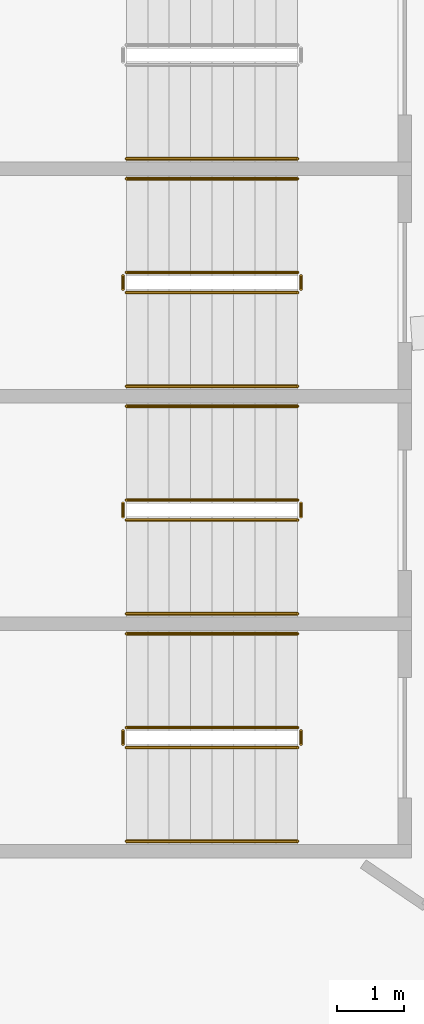
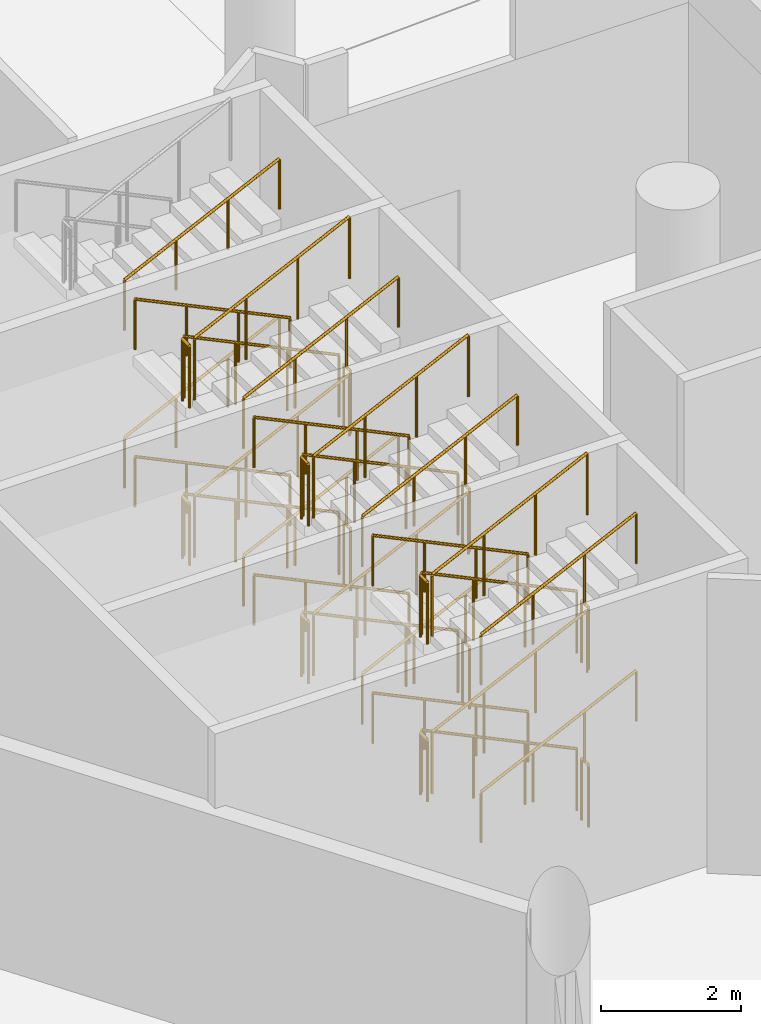
# One storey, part 231 of 271: 38 railings.
"""IFC4 building model written with IfcOpenShell, lengths in metres."""

from ifc_helpers import new_model, si_unit, direction, frame, origin, origin_2d, place, context, subcontext, project, spatial, circle, extrude, material, type_object, element, save


model = new_model("IFC4")

# Units and contexts
model_context = context("Model", 3, precision=1e-05, world=origin(), true_north=direction((0.0, 1.0)))
body_context = subcontext(model_context, "Body", "Model", "MODEL_VIEW")
ifc_project = project(units=[si_unit("LENGTHUNIT", "METRE"), si_unit("AREAUNIT", "SQUARE_METRE"), si_unit("VOLUMEUNIT", "CUBIC_METRE"), si_unit("PLANEANGLEUNIT", "RADIAN"), si_unit("MASSUNIT", "GRAM", prefix="KILO")], contexts=[model_context])

# Site, building, storey
site_placement = place(None, origin())
site = spatial("IfcSite", under=ifc_project, at=site_placement, CompositionType="ELEMENT")
building_placement = place(site_placement, origin())
building = spatial("IfcBuilding", under=site, at=building_placement, Name="Meseta Stadium", CompositionType="ELEMENT")
storey_placement = place(building_placement, frame((0.0, 0.0, 6.5)))
storey = spatial("IfcBuildingStorey", under=building, at=storey_placement, Name="L01", CompositionType="ELEMENT", Elevation=6.5)

# Railings
ifc_material_1 = material(Name="Steel S355", Category="steel")
railing_type_1 = type_object("IfcRailingType", Name="Stair guard 1100", PredefinedType="GUARDRAIL", material=ifc_material_1)
railing_1_placement = place(storey_placement, frame((-90.10009765625, -41.89990234375, 0.15283203125)))
element("IfcRailing", 1, at=railing_1_placement, inside=storey, type_object=railing_type_1, Name="ST74 L01 guard 1", PredefinedType="GUARDRAIL", context=body_context, shape_type="SweptSolid", body=[
    extrude(circle(Radius=0.02392578125, at=origin_2d()), frame((0.0, 0.0, 1.076171875), z_axis=(-0.902420958964, 0.0, 0.430855443069), x_axis=(0.0, -1.0, 0.0)), (0.0, 0.0, 1.0), 2.836669921875),
    extrude(circle(Radius=0.02099609375, at=origin_2d()), origin(), (0.0, 0.0, 1.0), 1.052001953125),
    extrude(circle(Radius=0.02099609375, at=origin_2d()), frame((-0.853271484375, 0.0, 0.407470703125)), (0.0, 0.0, 1.0), 1.052001953125),
    extrude(circle(Radius=0.02099609375, at=origin_2d()), frame((-1.70654296875, 0.0, 0.814697265625)), (0.0, 0.0, 1.0), 1.052001953125),
    extrude(circle(Radius=0.02099609375, at=origin_2d()), frame((-2.559814453125, 0.0, 1.22216796875)), (0.0, 0.0, 1.0), 1.052001953125),
])
railing_2_placement = place(storey_placement, frame((-92.7099609375, -41.949951171875, 1.375)))
element("IfcRailing", 2, at=railing_2_placement, inside=storey, type_object=railing_type_1, Name="ST74 L01 guard 2", PredefinedType="GUARDRAIL", context=body_context, shape_type="SweptSolid", body=[
    extrude(circle(Radius=0.02392578125, at=origin_2d()), frame((0.0, 0.0, 1.076171875), z_axis=(0.0, -1.0, 0.0), x_axis=(1.0, 0.0, 0.0)), (0.0, 0.0, 1.0), 0.199951171875),
    extrude(circle(Radius=0.02099609375, at=origin_2d()), origin(), (0.0, 0.0, 1.0), 1.052001953125),
    extrude(circle(Radius=0.02099609375, at=origin_2d()), frame((0.0, -0.199951171875, 0.0)), (0.0, 0.0, 1.0), 1.052001953125),
])
railing_3_placement = place(storey_placement, frame((-92.659912109375, -42.199951171875, 1.52783203125)))
element("IfcRailing", 3, at=railing_3_placement, inside=storey, type_object=railing_type_1, Name="ST74 L01 guard 3", PredefinedType="GUARDRAIL", context=body_context, shape_type="SweptSolid", body=[
    extrude(circle(Radius=0.02392578125, at=origin_2d()), frame((0.0, 0.0, 1.076171875), z_axis=(0.902420958964, 0.0, 0.430855443069), x_axis=(0.0, 1.0, 0.0)), (0.0, 0.0, 1.0), 2.836669921875),
    extrude(circle(Radius=0.02099609375, at=origin_2d()), origin(), (0.0, 0.0, 1.0), 1.052001953125),
    extrude(circle(Radius=0.02099609375, at=origin_2d()), frame((0.853271484375, 0.0, 0.407470703125)), (0.0, 0.0, 1.0), 1.052001953125),
    extrude(circle(Radius=0.02099609375, at=origin_2d()), frame((1.70654296875, 0.0, 0.814697265625)), (0.0, 0.0, 1.0), 1.052001953125),
    extrude(circle(Radius=0.02099609375, at=origin_2d()), frame((2.559814453125, 0.0, 1.22216796875)), (0.0, 0.0, 1.0), 1.052001953125),
])
railing_4_placement = place(storey_placement, frame((-90.050048828125, -41.949951171875, 2.75)))
element("IfcRailing", 4, at=railing_4_placement, inside=storey, type_object=railing_type_1, Name="ST74 L01 guard 4", PredefinedType="GUARDRAIL", context=body_context, shape_type="SweptSolid", body=[
    extrude(circle(Radius=0.02392578125, at=origin_2d()), frame((0.0, 0.0, 1.076171875), z_axis=(0.0, -1.0, 0.0), x_axis=(1.0, 0.0, 0.0)), (0.0, 0.0, 1.0), 0.199951171875),
    extrude(circle(Radius=0.02099609375, at=origin_2d()), origin(), (0.0, 0.0, 1.0), 1.052001953125),
    extrude(circle(Radius=0.02099609375, at=origin_2d()), frame((0.0, -0.199951171875, 0.0)), (0.0, 0.0, 1.0), 1.052001953125),
])
railing_5_placement = place(storey_placement, frame((-90.10009765625, -41.89990234375, 2.90283203125)))
element("IfcRailing", 5, at=railing_5_placement, inside=storey, type_object=railing_type_1, Name="ST74 L01 guard 5", PredefinedType="GUARDRAIL", context=body_context, shape_type="SweptSolid", body=[
    extrude(circle(Radius=0.02392578125, at=origin_2d()), frame((0.0, 0.0, 1.076171875), z_axis=(-0.902420958964, 0.0, 0.430855443069), x_axis=(0.0, -1.0, 0.0)), (0.0, 0.0, 1.0), 2.836669921875),
    extrude(circle(Radius=0.02099609375, at=origin_2d()), origin(), (0.0, 0.0, 1.0), 1.052001953125),
    extrude(circle(Radius=0.02099609375, at=origin_2d()), frame((-0.853271484375, 0.0, 0.407470703125)), (0.0, 0.0, 1.0), 1.052001953125),
    extrude(circle(Radius=0.02099609375, at=origin_2d()), frame((-1.70654296875, 0.0, 0.814697265625)), (0.0, 0.0, 1.0), 1.052001953125),
    extrude(circle(Radius=0.02099609375, at=origin_2d()), frame((-2.559814453125, 0.0, 1.22216796875)), (0.0, 0.0, 1.0), 1.052001953125),
])
railing_6_placement = place(storey_placement, frame((-92.7099609375, -41.949951171875, 4.125)))
element("IfcRailing", 6, at=railing_6_placement, inside=storey, type_object=railing_type_1, Name="ST74 L01 guard 6", PredefinedType="GUARDRAIL", context=body_context, shape_type="SweptSolid", body=[
    extrude(circle(Radius=0.02392578125, at=origin_2d()), frame((0.0, 0.0, 1.076171875), z_axis=(0.0, -1.0, 0.0), x_axis=(1.0, 0.0, 0.0)), (0.0, 0.0, 1.0), 0.199951171875),
    extrude(circle(Radius=0.02099609375, at=origin_2d()), origin(), (0.0, 0.0, 1.0), 1.052001953125),
    extrude(circle(Radius=0.02099609375, at=origin_2d()), frame((0.0, -0.199951171875, 0.0)), (0.0, 0.0, 1.0), 1.052001953125),
])
railing_7_placement = place(storey_placement, frame((-92.659912109375, -42.199951171875, 4.27783203125)))
element("IfcRailing", 7, at=railing_7_placement, inside=storey, type_object=railing_type_1, Name="ST74 L01 guard 7", PredefinedType="GUARDRAIL", context=body_context, shape_type="SweptSolid", body=[
    extrude(circle(Radius=0.02392578125, at=origin_2d()), frame((0.0, 0.0, 1.076171875), z_axis=(0.902420958964, 0.0, 0.430855443069), x_axis=(0.0, 1.0, 0.0)), (0.0, 0.0, 1.0), 2.836669921875),
    extrude(circle(Radius=0.02099609375, at=origin_2d()), origin(), (0.0, 0.0, 1.0), 1.052001953125),
    extrude(circle(Radius=0.02099609375, at=origin_2d()), frame((0.853271484375, 0.0, 0.407470703125)), (0.0, 0.0, 1.0), 1.052001953125),
    extrude(circle(Radius=0.02099609375, at=origin_2d()), frame((1.70654296875, 0.0, 0.814697265625)), (0.0, 0.0, 1.0), 1.052001953125),
    extrude(circle(Radius=0.02099609375, at=origin_2d()), frame((2.559814453125, 0.0, 1.22216796875)), (0.0, 0.0, 1.0), 1.052001953125),
])
railing_8_placement = place(storey_placement, frame((-90.050048828125, -41.949951171875, 0.0)))
element("IfcRailing", 8, at=railing_8_placement, inside=storey, type_object=railing_type_1, Name="ST74 L01 guard 8", PredefinedType="GUARDRAIL", context=body_context, shape_type="SweptSolid", body=[
    extrude(circle(Radius=0.02392578125, at=origin_2d()), frame((0.0, 0.0, 1.076171875), z_axis=(0.0, -1.0, 0.0), x_axis=(1.0, 0.0, 0.0)), (0.0, 0.0, 1.0), 0.199951171875),
    extrude(circle(Radius=0.02099609375, at=origin_2d()), origin(), (0.0, 0.0, 1.0), 1.052001953125),
    extrude(circle(Radius=0.02099609375, at=origin_2d()), frame((0.0, -0.199951171875, 0.0)), (0.0, 0.0, 1.0), 1.052001953125),
])
railing_9_placement = place(storey_placement, frame((-90.10009765625, -45.300048828125, 0.15283203125)))
element("IfcRailing", 9, at=railing_9_placement, inside=storey, type_object=railing_type_1, Name="ST75 L01 guard 1", PredefinedType="GUARDRAIL", context=body_context, shape_type="SweptSolid", body=[
    extrude(circle(Radius=0.02392578125, at=origin_2d()), frame((0.0, 0.0, 1.076171875), z_axis=(-0.902420958964, 0.0, 0.430855443069), x_axis=(0.0, -1.0, 0.0)), (0.0, 0.0, 1.0), 2.836669921875),
    extrude(circle(Radius=0.02099609375, at=origin_2d()), origin(), (0.0, 0.0, 1.0), 1.052001953125),
    extrude(circle(Radius=0.02099609375, at=origin_2d()), frame((-0.853271484375, 0.0, 0.407470703125)), (0.0, 0.0, 1.0), 1.052001953125),
    extrude(circle(Radius=0.02099609375, at=origin_2d()), frame((-1.70654296875, 0.0, 0.814697265625)), (0.0, 0.0, 1.0), 1.052001953125),
    extrude(circle(Radius=0.02099609375, at=origin_2d()), frame((-2.559814453125, 0.0, 1.22216796875)), (0.0, 0.0, 1.0), 1.052001953125),
])
railing_10_placement = place(storey_placement, frame((-92.7099609375, -45.35009765625, 1.375)))
element("IfcRailing", 10, at=railing_10_placement, inside=storey, type_object=railing_type_1, Name="ST75 L01 guard 2", PredefinedType="GUARDRAIL", context=body_context, shape_type="SweptSolid", body=[
    extrude(circle(Radius=0.02392578125, at=origin_2d()), frame((0.0, 0.0, 1.076171875), z_axis=(0.0, -1.0, 0.0), x_axis=(1.0, 0.0, 0.0)), (0.0, 0.0, 1.0), 0.199951171875),
    extrude(circle(Radius=0.02099609375, at=origin_2d()), origin(), (0.0, 0.0, 1.0), 1.052001953125),
    extrude(circle(Radius=0.02099609375, at=origin_2d()), frame((0.0, -0.199951171875, 0.0)), (0.0, 0.0, 1.0), 1.052001953125),
])
railing_11_placement = place(storey_placement, frame((-92.659912109375, -45.60009765625, 1.52783203125)))
element("IfcRailing", 11, at=railing_11_placement, inside=storey, type_object=railing_type_1, Name="ST75 L01 guard 3", PredefinedType="GUARDRAIL", context=body_context, shape_type="SweptSolid", body=[
    extrude(circle(Radius=0.02392578125, at=origin_2d()), frame((0.0, 0.0, 1.076171875), z_axis=(0.902420958964, 0.0, 0.430855443069), x_axis=(0.0, 1.0, 0.0)), (0.0, 0.0, 1.0), 2.836669921875),
    extrude(circle(Radius=0.02099609375, at=origin_2d()), origin(), (0.0, 0.0, 1.0), 1.052001953125),
    extrude(circle(Radius=0.02099609375, at=origin_2d()), frame((0.853271484375, 0.0, 0.407470703125)), (0.0, 0.0, 1.0), 1.052001953125),
    extrude(circle(Radius=0.02099609375, at=origin_2d()), frame((1.70654296875, 0.0, 0.814697265625)), (0.0, 0.0, 1.0), 1.052001953125),
    extrude(circle(Radius=0.02099609375, at=origin_2d()), frame((2.559814453125, 0.0, 1.22216796875)), (0.0, 0.0, 1.0), 1.052001953125),
])
railing_12_placement = place(storey_placement, frame((-90.050048828125, -45.35009765625, 2.75)))
element("IfcRailing", 12, at=railing_12_placement, inside=storey, type_object=railing_type_1, Name="ST75 L01 guard 4", PredefinedType="GUARDRAIL", context=body_context, shape_type="SweptSolid", body=[
    extrude(circle(Radius=0.02392578125, at=origin_2d()), frame((0.0, 0.0, 1.076171875), z_axis=(0.0, -1.0, 0.0), x_axis=(1.0, 0.0, 0.0)), (0.0, 0.0, 1.0), 0.199951171875),
    extrude(circle(Radius=0.02099609375, at=origin_2d()), origin(), (0.0, 0.0, 1.0), 1.052001953125),
    extrude(circle(Radius=0.02099609375, at=origin_2d()), frame((0.0, -0.199951171875, 0.0)), (0.0, 0.0, 1.0), 1.052001953125),
])
railing_13_placement = place(storey_placement, frame((-90.10009765625, -45.300048828125, 2.90283203125)))
element("IfcRailing", 13, at=railing_13_placement, inside=storey, type_object=railing_type_1, Name="ST75 L01 guard 5", PredefinedType="GUARDRAIL", context=body_context, shape_type="SweptSolid", body=[
    extrude(circle(Radius=0.02392578125, at=origin_2d()), frame((0.0, 0.0, 1.076171875), z_axis=(-0.902420958964, 0.0, 0.430855443069), x_axis=(0.0, -1.0, 0.0)), (0.0, 0.0, 1.0), 2.836669921875),
    extrude(circle(Radius=0.02099609375, at=origin_2d()), origin(), (0.0, 0.0, 1.0), 1.052001953125),
    extrude(circle(Radius=0.02099609375, at=origin_2d()), frame((-0.853271484375, 0.0, 0.407470703125)), (0.0, 0.0, 1.0), 1.052001953125),
    extrude(circle(Radius=0.02099609375, at=origin_2d()), frame((-1.70654296875, 0.0, 0.814697265625)), (0.0, 0.0, 1.0), 1.052001953125),
    extrude(circle(Radius=0.02099609375, at=origin_2d()), frame((-2.559814453125, 0.0, 1.22216796875)), (0.0, 0.0, 1.0), 1.052001953125),
])
railing_14_placement = place(storey_placement, frame((-92.7099609375, -45.35009765625, 4.125)))
element("IfcRailing", 14, at=railing_14_placement, inside=storey, type_object=railing_type_1, Name="ST75 L01 guard 6", PredefinedType="GUARDRAIL", context=body_context, shape_type="SweptSolid", body=[
    extrude(circle(Radius=0.02392578125, at=origin_2d()), frame((0.0, 0.0, 1.076171875), z_axis=(0.0, -1.0, 0.0), x_axis=(1.0, 0.0, 0.0)), (0.0, 0.0, 1.0), 0.199951171875),
    extrude(circle(Radius=0.02099609375, at=origin_2d()), origin(), (0.0, 0.0, 1.0), 1.052001953125),
    extrude(circle(Radius=0.02099609375, at=origin_2d()), frame((0.0, -0.199951171875, 0.0)), (0.0, 0.0, 1.0), 1.052001953125),
])
railing_15_placement = place(storey_placement, frame((-92.659912109375, -45.60009765625, 4.27783203125)))
element("IfcRailing", 15, at=railing_15_placement, inside=storey, type_object=railing_type_1, Name="ST75 L01 guard 7", PredefinedType="GUARDRAIL", context=body_context, shape_type="SweptSolid", body=[
    extrude(circle(Radius=0.02392578125, at=origin_2d()), frame((0.0, 0.0, 1.076171875), z_axis=(0.902420958964, 0.0, 0.430855443069), x_axis=(0.0, 1.0, 0.0)), (0.0, 0.0, 1.0), 2.836669921875),
    extrude(circle(Radius=0.02099609375, at=origin_2d()), origin(), (0.0, 0.0, 1.0), 1.052001953125),
    extrude(circle(Radius=0.02099609375, at=origin_2d()), frame((0.853271484375, 0.0, 0.407470703125)), (0.0, 0.0, 1.0), 1.052001953125),
    extrude(circle(Radius=0.02099609375, at=origin_2d()), frame((1.70654296875, 0.0, 0.814697265625)), (0.0, 0.0, 1.0), 1.052001953125),
    extrude(circle(Radius=0.02099609375, at=origin_2d()), frame((2.559814453125, 0.0, 1.22216796875)), (0.0, 0.0, 1.0), 1.052001953125),
])
railing_16_placement = place(storey_placement, frame((-90.050048828125, -45.35009765625, 0.0)))
element("IfcRailing", 16, at=railing_16_placement, inside=storey, type_object=railing_type_1, Name="ST75 L01 guard 8", PredefinedType="GUARDRAIL", context=body_context, shape_type="SweptSolid", body=[
    extrude(circle(Radius=0.02392578125, at=origin_2d()), frame((0.0, 0.0, 1.076171875), z_axis=(0.0, -1.0, 0.0), x_axis=(1.0, 0.0, 0.0)), (0.0, 0.0, 1.0), 0.199951171875),
    extrude(circle(Radius=0.02099609375, at=origin_2d()), origin(), (0.0, 0.0, 1.0), 1.052001953125),
    extrude(circle(Radius=0.02099609375, at=origin_2d()), frame((0.0, -0.199951171875, 0.0)), (0.0, 0.0, 1.0), 1.052001953125),
])
railing_17_placement = place(storey_placement, frame((-90.10009765625, -48.699951171875, 0.15283203125)))
element("IfcRailing", 17, at=railing_17_placement, inside=storey, type_object=railing_type_1, Name="ST76 L01 guard 1", PredefinedType="GUARDRAIL", context=body_context, shape_type="SweptSolid", body=[
    extrude(circle(Radius=0.02392578125, at=origin_2d()), frame((0.0, 0.0, 1.076171875), z_axis=(-0.902420958964, 0.0, 0.430855443069), x_axis=(0.0, -1.0, 0.0)), (0.0, 0.0, 1.0), 2.836669921875),
    extrude(circle(Radius=0.02099609375, at=origin_2d()), origin(), (0.0, 0.0, 1.0), 1.052001953125),
    extrude(circle(Radius=0.02099609375, at=origin_2d()), frame((-0.853271484375, 0.0, 0.407470703125)), (0.0, 0.0, 1.0), 1.052001953125),
    extrude(circle(Radius=0.02099609375, at=origin_2d()), frame((-1.70654296875, 0.0, 0.814697265625)), (0.0, 0.0, 1.0), 1.052001953125),
    extrude(circle(Radius=0.02099609375, at=origin_2d()), frame((-2.559814453125, 0.0, 1.22216796875)), (0.0, 0.0, 1.0), 1.052001953125),
])
railing_18_placement = place(storey_placement, frame((-92.7099609375, -48.75, 1.375)))
element("IfcRailing", 18, at=railing_18_placement, inside=storey, type_object=railing_type_1, Name="ST76 L01 guard 2", PredefinedType="GUARDRAIL", context=body_context, shape_type="SweptSolid", body=[
    extrude(circle(Radius=0.02392578125, at=origin_2d()), frame((0.0, 0.0, 1.076171875), z_axis=(0.0, -1.0, 0.0), x_axis=(1.0, 0.0, 0.0)), (0.0, 0.0, 1.0), 0.199951171875),
    extrude(circle(Radius=0.02099609375, at=origin_2d()), origin(), (0.0, 0.0, 1.0), 1.052001953125),
    extrude(circle(Radius=0.02099609375, at=origin_2d()), frame((0.0, -0.199951171875, 0.0)), (0.0, 0.0, 1.0), 1.052001953125),
])
railing_19_placement = place(storey_placement, frame((-92.659912109375, -49.0, 1.52783203125)))
element("IfcRailing", 19, at=railing_19_placement, inside=storey, type_object=railing_type_1, Name="ST76 L01 guard 3", PredefinedType="GUARDRAIL", context=body_context, shape_type="SweptSolid", body=[
    extrude(circle(Radius=0.02392578125, at=origin_2d()), frame((0.0, 0.0, 1.076171875), z_axis=(0.902420958964, 0.0, 0.430855443069), x_axis=(0.0, 1.0, 0.0)), (0.0, 0.0, 1.0), 2.836669921875),
    extrude(circle(Radius=0.02099609375, at=origin_2d()), origin(), (0.0, 0.0, 1.0), 1.052001953125),
    extrude(circle(Radius=0.02099609375, at=origin_2d()), frame((0.853271484375, 0.0, 0.407470703125)), (0.0, 0.0, 1.0), 1.052001953125),
    extrude(circle(Radius=0.02099609375, at=origin_2d()), frame((1.70654296875, 0.0, 0.814697265625)), (0.0, 0.0, 1.0), 1.052001953125),
    extrude(circle(Radius=0.02099609375, at=origin_2d()), frame((2.559814453125, 0.0, 1.22216796875)), (0.0, 0.0, 1.0), 1.052001953125),
])
railing_20_placement = place(storey_placement, frame((-90.050048828125, -48.75, 2.75)))
element("IfcRailing", 20, at=railing_20_placement, inside=storey, type_object=railing_type_1, Name="ST76 L01 guard 4", PredefinedType="GUARDRAIL", context=body_context, shape_type="SweptSolid", body=[
    extrude(circle(Radius=0.02392578125, at=origin_2d()), frame((0.0, 0.0, 1.076171875), z_axis=(0.0, -1.0, 0.0), x_axis=(1.0, 0.0, 0.0)), (0.0, 0.0, 1.0), 0.199951171875),
    extrude(circle(Radius=0.02099609375, at=origin_2d()), origin(), (0.0, 0.0, 1.0), 1.052001953125),
    extrude(circle(Radius=0.02099609375, at=origin_2d()), frame((0.0, -0.199951171875, 0.0)), (0.0, 0.0, 1.0), 1.052001953125),
])
railing_21_placement = place(storey_placement, frame((-90.10009765625, -48.699951171875, 2.90283203125)))
element("IfcRailing", 21, at=railing_21_placement, inside=storey, type_object=railing_type_1, Name="ST76 L01 guard 5", PredefinedType="GUARDRAIL", context=body_context, shape_type="SweptSolid", body=[
    extrude(circle(Radius=0.02392578125, at=origin_2d()), frame((0.0, 0.0, 1.076171875), z_axis=(-0.902420958964, 0.0, 0.430855443069), x_axis=(0.0, -1.0, 0.0)), (0.0, 0.0, 1.0), 2.836669921875),
    extrude(circle(Radius=0.02099609375, at=origin_2d()), origin(), (0.0, 0.0, 1.0), 1.052001953125),
    extrude(circle(Radius=0.02099609375, at=origin_2d()), frame((-0.853271484375, 0.0, 0.407470703125)), (0.0, 0.0, 1.0), 1.052001953125),
    extrude(circle(Radius=0.02099609375, at=origin_2d()), frame((-1.70654296875, 0.0, 0.814697265625)), (0.0, 0.0, 1.0), 1.052001953125),
    extrude(circle(Radius=0.02099609375, at=origin_2d()), frame((-2.559814453125, 0.0, 1.22216796875)), (0.0, 0.0, 1.0), 1.052001953125),
])
railing_22_placement = place(storey_placement, frame((-92.7099609375, -48.75, 4.125)))
element("IfcRailing", 22, at=railing_22_placement, inside=storey, type_object=railing_type_1, Name="ST76 L01 guard 6", PredefinedType="GUARDRAIL", context=body_context, shape_type="SweptSolid", body=[
    extrude(circle(Radius=0.02392578125, at=origin_2d()), frame((0.0, 0.0, 1.076171875), z_axis=(0.0, -1.0, 0.0), x_axis=(1.0, 0.0, 0.0)), (0.0, 0.0, 1.0), 0.199951171875),
    extrude(circle(Radius=0.02099609375, at=origin_2d()), origin(), (0.0, 0.0, 1.0), 1.052001953125),
    extrude(circle(Radius=0.02099609375, at=origin_2d()), frame((0.0, -0.199951171875, 0.0)), (0.0, 0.0, 1.0), 1.052001953125),
])
railing_23_placement = place(storey_placement, frame((-92.659912109375, -49.0, 4.27783203125)))
element("IfcRailing", 23, at=railing_23_placement, inside=storey, type_object=railing_type_1, Name="ST76 L01 guard 7", PredefinedType="GUARDRAIL", context=body_context, shape_type="SweptSolid", body=[
    extrude(circle(Radius=0.02392578125, at=origin_2d()), frame((0.0, 0.0, 1.076171875), z_axis=(0.902420958964, 0.0, 0.430855443069), x_axis=(0.0, 1.0, 0.0)), (0.0, 0.0, 1.0), 2.836669921875),
    extrude(circle(Radius=0.02099609375, at=origin_2d()), origin(), (0.0, 0.0, 1.0), 1.052001953125),
    extrude(circle(Radius=0.02099609375, at=origin_2d()), frame((0.853271484375, 0.0, 0.407470703125)), (0.0, 0.0, 1.0), 1.052001953125),
    extrude(circle(Radius=0.02099609375, at=origin_2d()), frame((1.70654296875, 0.0, 0.814697265625)), (0.0, 0.0, 1.0), 1.052001953125),
    extrude(circle(Radius=0.02099609375, at=origin_2d()), frame((2.559814453125, 0.0, 1.22216796875)), (0.0, 0.0, 1.0), 1.052001953125),
])
railing_24_placement = place(storey_placement, frame((-90.050048828125, -48.75, 0.0)))
element("IfcRailing", 24, at=railing_24_placement, inside=storey, type_object=railing_type_1, Name="ST76 L01 guard 8", PredefinedType="GUARDRAIL", context=body_context, shape_type="SweptSolid", body=[
    extrude(circle(Radius=0.02392578125, at=origin_2d()), frame((0.0, 0.0, 1.076171875), z_axis=(0.0, -1.0, 0.0), x_axis=(1.0, 0.0, 0.0)), (0.0, 0.0, 1.0), 0.199951171875),
    extrude(circle(Radius=0.02099609375, at=origin_2d()), origin(), (0.0, 0.0, 1.0), 1.052001953125),
    extrude(circle(Radius=0.02099609375, at=origin_2d()), frame((0.0, -0.199951171875, 0.0)), (0.0, 0.0, 1.0), 1.052001953125),
])
ifc_material_2 = material(Name="Steel S355", Category="steel")
railing_type_2 = type_object("IfcRailingType", Name="Stair handrail 900", PredefinedType="HANDRAIL", material=ifc_material_2)
for number, where, name in (
    (25, (-92.659912109375, -40.199951171875, 1.52783203125), "ST73 L01 handrail 2"),
    (26, (-92.659912109375, -40.199951171875, 4.27783203125), "ST73 L01 handrail 4"),
):
    element("IfcRailing", number, at=place(storey_placement, frame(where)), inside=storey, type_object=railing_type_2, Name=name, PredefinedType="HANDRAIL", context=body_context, shape_type="SweptSolid", body=[
        extrude(circle(Radius=0.02392578125, at=origin_2d()), frame((0.0, 0.0, 0.8759765625), z_axis=(0.902420958964, 0.0, 0.430855443069), x_axis=(0.0, 1.0, 0.0)), (0.0, 0.0, 1.0), 2.836669921875),
        extrude(circle(Radius=0.02099609375, at=origin_2d()), origin(), (0.0, 0.0, 1.0), 0.851806640625),
        extrude(circle(Radius=0.02099609375, at=origin_2d()), frame((0.853271484375, 0.0, 0.407470703125)), (0.0, 0.0, 1.0), 0.851806640625),
        extrude(circle(Radius=0.02099609375, at=origin_2d()), frame((1.70654296875, 0.0, 0.814697265625)), (0.0, 0.0, 1.0), 0.851806640625),
        extrude(circle(Radius=0.02099609375, at=origin_2d()), frame((2.559814453125, 0.0, 1.22216796875)), (0.0, 0.0, 1.0), 0.851806640625),
    ])
railing_25_placement = place(storey_placement, frame((-90.10009765625, -40.5, 0.15283203125)))
element("IfcRailing", 27, at=railing_25_placement, inside=storey, type_object=railing_type_2, Name="ST74 L01 handrail 1", PredefinedType="HANDRAIL", context=body_context, shape_type="SweptSolid", body=[
    extrude(circle(Radius=0.02392578125, at=origin_2d()), frame((0.0, 0.0, 0.8759765625), z_axis=(-0.902420958964, 0.0, 0.430855443069), x_axis=(0.0, -1.0, 0.0)), (0.0, 0.0, 1.0), 2.836669921875),
    extrude(circle(Radius=0.02099609375, at=origin_2d()), origin(), (0.0, 0.0, 1.0), 0.851806640625),
    extrude(circle(Radius=0.02099609375, at=origin_2d()), frame((-0.853271484375, 0.0, 0.407470703125)), (0.0, 0.0, 1.0), 0.851806640625),
    extrude(circle(Radius=0.02099609375, at=origin_2d()), frame((-1.70654296875, 0.0, 0.814697265625)), (0.0, 0.0, 1.0), 0.851806640625),
    extrude(circle(Radius=0.02099609375, at=origin_2d()), frame((-2.559814453125, 0.0, 1.22216796875)), (0.0, 0.0, 1.0), 0.851806640625),
])
railing_26_placement = place(storey_placement, frame((-92.659912109375, -43.60009765625, 1.52783203125)))
element("IfcRailing", 28, at=railing_26_placement, inside=storey, type_object=railing_type_2, Name="ST74 L01 handrail 2", PredefinedType="HANDRAIL", context=body_context, shape_type="SweptSolid", body=[
    extrude(circle(Radius=0.02392578125, at=origin_2d()), frame((0.0, 0.0, 0.8759765625), z_axis=(0.902420958964, 0.0, 0.430855443069), x_axis=(0.0, 1.0, 0.0)), (0.0, 0.0, 1.0), 2.836669921875),
    extrude(circle(Radius=0.02099609375, at=origin_2d()), origin(), (0.0, 0.0, 1.0), 0.851806640625),
    extrude(circle(Radius=0.02099609375, at=origin_2d()), frame((0.853271484375, 0.0, 0.407470703125)), (0.0, 0.0, 1.0), 0.851806640625),
    extrude(circle(Radius=0.02099609375, at=origin_2d()), frame((1.70654296875, 0.0, 0.814697265625)), (0.0, 0.0, 1.0), 0.851806640625),
    extrude(circle(Radius=0.02099609375, at=origin_2d()), frame((2.559814453125, 0.0, 1.22216796875)), (0.0, 0.0, 1.0), 0.851806640625),
])
railing_27_placement = place(storey_placement, frame((-90.10009765625, -40.5, 2.90283203125)))
element("IfcRailing", 29, at=railing_27_placement, inside=storey, type_object=railing_type_2, Name="ST74 L01 handrail 3", PredefinedType="HANDRAIL", context=body_context, shape_type="SweptSolid", body=[
    extrude(circle(Radius=0.02392578125, at=origin_2d()), frame((0.0, 0.0, 0.8759765625), z_axis=(-0.902420958964, 0.0, 0.430855443069), x_axis=(0.0, -1.0, 0.0)), (0.0, 0.0, 1.0), 2.836669921875),
    extrude(circle(Radius=0.02099609375, at=origin_2d()), origin(), (0.0, 0.0, 1.0), 0.851806640625),
    extrude(circle(Radius=0.02099609375, at=origin_2d()), frame((-0.853271484375, 0.0, 0.407470703125)), (0.0, 0.0, 1.0), 0.851806640625),
    extrude(circle(Radius=0.02099609375, at=origin_2d()), frame((-1.70654296875, 0.0, 0.814697265625)), (0.0, 0.0, 1.0), 0.851806640625),
    extrude(circle(Radius=0.02099609375, at=origin_2d()), frame((-2.559814453125, 0.0, 1.22216796875)), (0.0, 0.0, 1.0), 0.851806640625),
])
railing_28_placement = place(storey_placement, frame((-92.659912109375, -43.60009765625, 4.27783203125)))
element("IfcRailing", 30, at=railing_28_placement, inside=storey, type_object=railing_type_2, Name="ST74 L01 handrail 4", PredefinedType="HANDRAIL", context=body_context, shape_type="SweptSolid", body=[
    extrude(circle(Radius=0.02392578125, at=origin_2d()), frame((0.0, 0.0, 0.8759765625), z_axis=(0.902420958964, 0.0, 0.430855443069), x_axis=(0.0, 1.0, 0.0)), (0.0, 0.0, 1.0), 2.836669921875),
    extrude(circle(Radius=0.02099609375, at=origin_2d()), origin(), (0.0, 0.0, 1.0), 0.851806640625),
    extrude(circle(Radius=0.02099609375, at=origin_2d()), frame((0.853271484375, 0.0, 0.407470703125)), (0.0, 0.0, 1.0), 0.851806640625),
    extrude(circle(Radius=0.02099609375, at=origin_2d()), frame((1.70654296875, 0.0, 0.814697265625)), (0.0, 0.0, 1.0), 0.851806640625),
    extrude(circle(Radius=0.02099609375, at=origin_2d()), frame((2.559814453125, 0.0, 1.22216796875)), (0.0, 0.0, 1.0), 0.851806640625),
])
railing_29_placement = place(storey_placement, frame((-90.10009765625, -43.89990234375, 0.15283203125)))
element("IfcRailing", 31, at=railing_29_placement, inside=storey, type_object=railing_type_2, Name="ST75 L01 handrail 1", PredefinedType="HANDRAIL", context=body_context, shape_type="SweptSolid", body=[
    extrude(circle(Radius=0.02392578125, at=origin_2d()), frame((0.0, 0.0, 0.8759765625), z_axis=(-0.902420958964, 0.0, 0.430855443069), x_axis=(0.0, -1.0, 0.0)), (0.0, 0.0, 1.0), 2.836669921875),
    extrude(circle(Radius=0.02099609375, at=origin_2d()), origin(), (0.0, 0.0, 1.0), 0.851806640625),
    extrude(circle(Radius=0.02099609375, at=origin_2d()), frame((-0.853271484375, 0.0, 0.407470703125)), (0.0, 0.0, 1.0), 0.851806640625),
    extrude(circle(Radius=0.02099609375, at=origin_2d()), frame((-1.70654296875, 0.0, 0.814697265625)), (0.0, 0.0, 1.0), 0.851806640625),
    extrude(circle(Radius=0.02099609375, at=origin_2d()), frame((-2.559814453125, 0.0, 1.22216796875)), (0.0, 0.0, 1.0), 0.851806640625),
])
railing_30_placement = place(storey_placement, frame((-92.659912109375, -47.0, 1.52783203125)))
element("IfcRailing", 32, at=railing_30_placement, inside=storey, type_object=railing_type_2, Name="ST75 L01 handrail 2", PredefinedType="HANDRAIL", context=body_context, shape_type="SweptSolid", body=[
    extrude(circle(Radius=0.02392578125, at=origin_2d()), frame((0.0, 0.0, 0.8759765625), z_axis=(0.902420958964, 0.0, 0.430855443069), x_axis=(0.0, 1.0, 0.0)), (0.0, 0.0, 1.0), 2.836669921875),
    extrude(circle(Radius=0.02099609375, at=origin_2d()), origin(), (0.0, 0.0, 1.0), 0.851806640625),
    extrude(circle(Radius=0.02099609375, at=origin_2d()), frame((0.853271484375, 0.0, 0.407470703125)), (0.0, 0.0, 1.0), 0.851806640625),
    extrude(circle(Radius=0.02099609375, at=origin_2d()), frame((1.70654296875, 0.0, 0.814697265625)), (0.0, 0.0, 1.0), 0.851806640625),
    extrude(circle(Radius=0.02099609375, at=origin_2d()), frame((2.559814453125, 0.0, 1.22216796875)), (0.0, 0.0, 1.0), 0.851806640625),
])
railing_31_placement = place(storey_placement, frame((-90.10009765625, -43.89990234375, 2.90283203125)))
element("IfcRailing", 33, at=railing_31_placement, inside=storey, type_object=railing_type_2, Name="ST75 L01 handrail 3", PredefinedType="HANDRAIL", context=body_context, shape_type="SweptSolid", body=[
    extrude(circle(Radius=0.02392578125, at=origin_2d()), frame((0.0, 0.0, 0.8759765625), z_axis=(-0.902420958964, 0.0, 0.430855443069), x_axis=(0.0, -1.0, 0.0)), (0.0, 0.0, 1.0), 2.836669921875),
    extrude(circle(Radius=0.02099609375, at=origin_2d()), origin(), (0.0, 0.0, 1.0), 0.851806640625),
    extrude(circle(Radius=0.02099609375, at=origin_2d()), frame((-0.853271484375, 0.0, 0.407470703125)), (0.0, 0.0, 1.0), 0.851806640625),
    extrude(circle(Radius=0.02099609375, at=origin_2d()), frame((-1.70654296875, 0.0, 0.814697265625)), (0.0, 0.0, 1.0), 0.851806640625),
    extrude(circle(Radius=0.02099609375, at=origin_2d()), frame((-2.559814453125, 0.0, 1.22216796875)), (0.0, 0.0, 1.0), 0.851806640625),
])
railing_32_placement = place(storey_placement, frame((-92.659912109375, -47.0, 4.27783203125)))
element("IfcRailing", 34, at=railing_32_placement, inside=storey, type_object=railing_type_2, Name="ST75 L01 handrail 4", PredefinedType="HANDRAIL", context=body_context, shape_type="SweptSolid", body=[
    extrude(circle(Radius=0.02392578125, at=origin_2d()), frame((0.0, 0.0, 0.8759765625), z_axis=(0.902420958964, 0.0, 0.430855443069), x_axis=(0.0, 1.0, 0.0)), (0.0, 0.0, 1.0), 2.836669921875),
    extrude(circle(Radius=0.02099609375, at=origin_2d()), origin(), (0.0, 0.0, 1.0), 0.851806640625),
    extrude(circle(Radius=0.02099609375, at=origin_2d()), frame((0.853271484375, 0.0, 0.407470703125)), (0.0, 0.0, 1.0), 0.851806640625),
    extrude(circle(Radius=0.02099609375, at=origin_2d()), frame((1.70654296875, 0.0, 0.814697265625)), (0.0, 0.0, 1.0), 0.851806640625),
    extrude(circle(Radius=0.02099609375, at=origin_2d()), frame((2.559814453125, 0.0, 1.22216796875)), (0.0, 0.0, 1.0), 0.851806640625),
])
railing_33_placement = place(storey_placement, frame((-90.10009765625, -47.300048828125, 0.15283203125)))
element("IfcRailing", 35, at=railing_33_placement, inside=storey, type_object=railing_type_2, Name="ST76 L01 handrail 1", PredefinedType="HANDRAIL", context=body_context, shape_type="SweptSolid", body=[
    extrude(circle(Radius=0.02392578125, at=origin_2d()), frame((0.0, 0.0, 0.8759765625), z_axis=(-0.902420958964, 0.0, 0.430855443069), x_axis=(0.0, -1.0, 0.0)), (0.0, 0.0, 1.0), 2.836669921875),
    extrude(circle(Radius=0.02099609375, at=origin_2d()), origin(), (0.0, 0.0, 1.0), 0.851806640625),
    extrude(circle(Radius=0.02099609375, at=origin_2d()), frame((-0.853271484375, 0.0, 0.407470703125)), (0.0, 0.0, 1.0), 0.851806640625),
    extrude(circle(Radius=0.02099609375, at=origin_2d()), frame((-1.70654296875, 0.0, 0.814697265625)), (0.0, 0.0, 1.0), 0.851806640625),
    extrude(circle(Radius=0.02099609375, at=origin_2d()), frame((-2.559814453125, 0.0, 1.22216796875)), (0.0, 0.0, 1.0), 0.851806640625),
])
railing_34_placement = place(storey_placement, frame((-92.659912109375, -50.39990234375, 1.52783203125)))
element("IfcRailing", 36, at=railing_34_placement, inside=storey, type_object=railing_type_2, Name="ST76 L01 handrail 2", PredefinedType="HANDRAIL", context=body_context, shape_type="SweptSolid", body=[
    extrude(circle(Radius=0.02392578125, at=origin_2d()), frame((0.0, 0.0, 0.8759765625), z_axis=(0.902420958964, 0.0, 0.430855443069), x_axis=(0.0, 1.0, 0.0)), (0.0, 0.0, 1.0), 2.836669921875),
    extrude(circle(Radius=0.02099609375, at=origin_2d()), origin(), (0.0, 0.0, 1.0), 0.851806640625),
    extrude(circle(Radius=0.02099609375, at=origin_2d()), frame((0.853271484375, 0.0, 0.407470703125)), (0.0, 0.0, 1.0), 0.851806640625),
    extrude(circle(Radius=0.02099609375, at=origin_2d()), frame((1.70654296875, 0.0, 0.814697265625)), (0.0, 0.0, 1.0), 0.851806640625),
    extrude(circle(Radius=0.02099609375, at=origin_2d()), frame((2.559814453125, 0.0, 1.22216796875)), (0.0, 0.0, 1.0), 0.851806640625),
])
railing_35_placement = place(storey_placement, frame((-90.10009765625, -47.300048828125, 2.90283203125)))
element("IfcRailing", 37, at=railing_35_placement, inside=storey, type_object=railing_type_2, Name="ST76 L01 handrail 3", PredefinedType="HANDRAIL", context=body_context, shape_type="SweptSolid", body=[
    extrude(circle(Radius=0.02392578125, at=origin_2d()), frame((0.0, 0.0, 0.8759765625), z_axis=(-0.902420958964, 0.0, 0.430855443069), x_axis=(0.0, -1.0, 0.0)), (0.0, 0.0, 1.0), 2.836669921875),
    extrude(circle(Radius=0.02099609375, at=origin_2d()), origin(), (0.0, 0.0, 1.0), 0.851806640625),
    extrude(circle(Radius=0.02099609375, at=origin_2d()), frame((-0.853271484375, 0.0, 0.407470703125)), (0.0, 0.0, 1.0), 0.851806640625),
    extrude(circle(Radius=0.02099609375, at=origin_2d()), frame((-1.70654296875, 0.0, 0.814697265625)), (0.0, 0.0, 1.0), 0.851806640625),
    extrude(circle(Radius=0.02099609375, at=origin_2d()), frame((-2.559814453125, 0.0, 1.22216796875)), (0.0, 0.0, 1.0), 0.851806640625),
])
railing_36_placement = place(storey_placement, frame((-92.659912109375, -50.39990234375, 4.27783203125)))
element("IfcRailing", 38, at=railing_36_placement, inside=storey, type_object=railing_type_2, Name="ST76 L01 handrail 4", PredefinedType="HANDRAIL", context=body_context, shape_type="SweptSolid", body=[
    extrude(circle(Radius=0.02392578125, at=origin_2d()), frame((0.0, 0.0, 0.8759765625), z_axis=(0.902420958964, 0.0, 0.430855443069), x_axis=(0.0, 1.0, 0.0)), (0.0, 0.0, 1.0), 2.836669921875),
    extrude(circle(Radius=0.02099609375, at=origin_2d()), origin(), (0.0, 0.0, 1.0), 0.851806640625),
    extrude(circle(Radius=0.02099609375, at=origin_2d()), frame((0.853271484375, 0.0, 0.407470703125)), (0.0, 0.0, 1.0), 0.851806640625),
    extrude(circle(Radius=0.02099609375, at=origin_2d()), frame((1.70654296875, 0.0, 0.814697265625)), (0.0, 0.0, 1.0), 0.851806640625),
    extrude(circle(Radius=0.02099609375, at=origin_2d()), frame((2.559814453125, 0.0, 1.22216796875)), (0.0, 0.0, 1.0), 0.851806640625),
])

save(model, "model.ifc")
